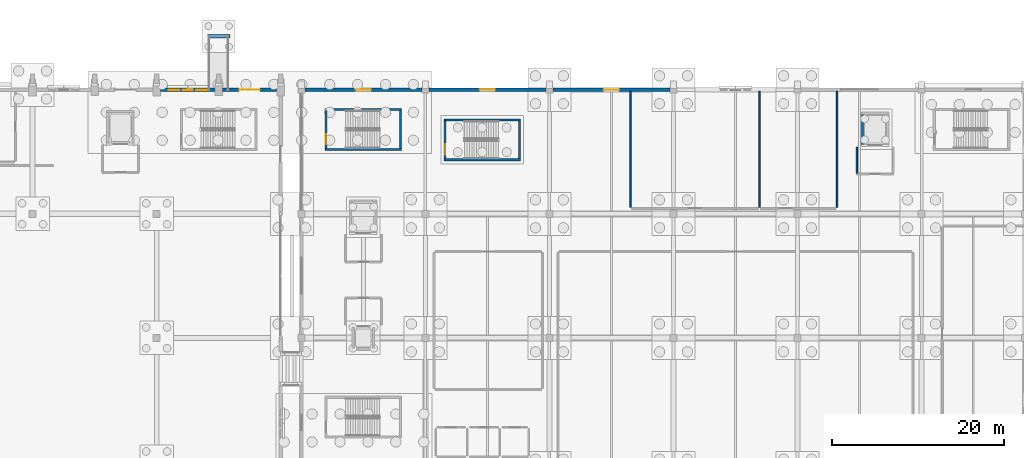
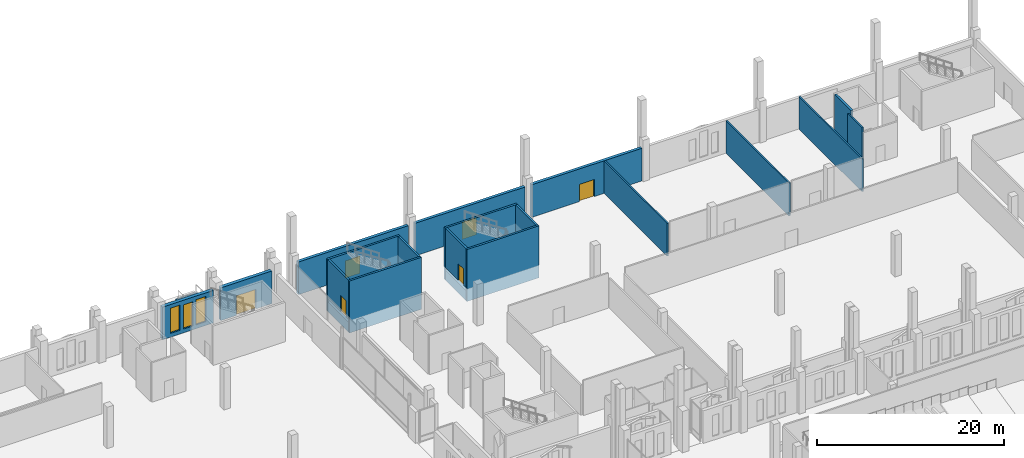
# One storey, part 152 of 192: 21 walls, 6 doors, 3 windows, 9 openings.
"""IFC4 building model written with IfcOpenShell, lengths in metres."""

from ifc_helpers import new_model, si_unit, direction, frame, frame_2d, origin, place, context, subcontext, project, spatial, rectangle, extrude, material, layer, layer_set, type_object, element, fill, save


model = new_model("IFC4")

# Units and contexts
model_context = context("Model", 3, precision=1e-05, world=origin(), true_north=direction((0.0, 1.0)))
body_context = subcontext(model_context, "Body", "Model", "MODEL_VIEW")
ifc_project = project(units=[si_unit("LENGTHUNIT", "METRE"), si_unit("AREAUNIT", "SQUARE_METRE"), si_unit("VOLUMEUNIT", "CUBIC_METRE"), si_unit("PLANEANGLEUNIT", "RADIAN"), si_unit("MASSUNIT", "GRAM", prefix="KILO")], contexts=[model_context])

# Site, building, storey
site_placement = place(None, origin())
site = spatial("IfcSite", under=ifc_project, at=site_placement, CompositionType="ELEMENT")
building_placement = place(site_placement, origin())
building = spatial("IfcBuilding", under=site, at=building_placement, Name="Cendralis Lancet Convention Centre", CompositionType="ELEMENT")
storey_placement = place(building_placement, origin())
storey = spatial("IfcBuildingStorey", under=building, at=storey_placement, Name="L00", CompositionType="ELEMENT", Elevation=0.0)

# Wall, opening, door
ifc_material_1 = material(Name="Buff sandstone ashlar and Concrete G40 (C40/50)", Category="masonry")
ifc_layer_1 = layer(ifc_material_1, 0.360107421875, Name="Buff sandstone ashlar and Concrete G40 (C40/50)")
ifc_layer_set_1 = layer_set([ifc_layer_1], Name="Buff sandstone ashlar and Concrete G40 (C40/50)")
wall_type_1 = type_object("IfcWallType", Name="ARC-EW-W360", PredefinedType="STANDARD", material=ifc_layer_set_1)
wall_1_placement = place(storey_placement, frame((125.2080078125, 136.800048828125, 0.0), z_axis=(0.0, 0.0, 1.0), x_axis=(1.0, 0.0, 0.0)))
wall_1 = element("IfcWall", 1, at=wall_1_placement, inside=storey, type_object=wall_type_1, Name="L00 V3 Exterior Wall EW-04 #0127", PredefinedType="STANDARD", context=body_context, shape_type="SweptSolid", body=[
    extrude(rectangle(XDim=13.583984375, YDim=0.360107421875, at=frame_2d((6.7919921875, 0.0))), origin(), (0.0, 0.0, 1.0), 4.2548828125),
])
opening_1_placement = place(wall_1_placement, frame((5.89208984375, 0.0, 0.0)))
opening_1 = element("IfcOpeningElement", 2, at=opening_1_placement, cuts=wall_1, Name="Opening EX-D1", PredefinedType="OPENING", context=body_context, shape_type="SweptSolid", body=[
    extrude(rectangle(XDim=1.800048828125, YDim=2.25, at=frame_2d((0.89990234375, 1.125))), frame((0.0, 0.18994140625, 0.0), z_axis=(0.0, -1.0, 0.0), x_axis=(1.0, 0.0, 0.0)), (0.0, 0.0, 1.0), 0.380126953125),
])
ifc_material_2 = material(Name="Anodised bronze architectural aluminium", Category="aluminium")
door_type_1 = type_object("IfcDoorType", Name="ARC-DR-EX18", OperationType="NOTDEFINED", PredefinedType="DOOR", material=ifc_material_2)
door_1_placement = place(opening_1_placement, origin())
door_1 = element("IfcDoor", 3, at=door_1_placement, inside=storey, type_object=door_type_1, Name="L00-D034 Pedestrian Final Exit Door EX-34 #034", OperationType="DOUBLE_DOOR_SINGLE_SWING", OverallHeight=2.25, OverallWidth=1.800048828125, PredefinedType="DOOR", context=body_context, shape_type="SweptSolid", body=[
    extrude(rectangle(XDim=1.800048828125, YDim=2.25, at=frame_2d((0.89990234375, 1.125))), frame((0.0, 0.02490234375, 0.0), z_axis=(0.0, -1.0, 0.0), x_axis=(1.0, 0.0, 0.0)), (0.0, 0.0, 1.0), 0.050048828125),
])
fill(opening_1, door_1)

wall_2_placement = place(storey_placement, frame((139.60791015625, 136.800048828125, 0.0), z_axis=(0.0, 0.0, 1.0), x_axis=(1.0, 0.0, 0.0)))
wall_2 = element("IfcWall", 4, at=wall_2_placement, inside=storey, type_object=wall_type_1, Name="L00 V3 Exterior Wall EW-04 #0128", PredefinedType="STANDARD", context=body_context, shape_type="SweptSolid", body=[
    extrude(rectangle(XDim=13.583984375, YDim=0.360107421875, at=frame_2d((6.7919921875, 0.0))), origin(), (0.0, 0.0, 1.0), 4.2548828125),
])
opening_2_placement = place(wall_2_placement, frame((5.89208984375, 0.0, 0.0)))
opening_2 = element("IfcOpeningElement", 5, at=opening_2_placement, cuts=wall_2, Name="Opening EX-D1", PredefinedType="OPENING", context=body_context, shape_type="SweptSolid", body=[
    extrude(rectangle(XDim=1.800048828125, YDim=2.25, at=frame_2d((0.89990234375, 1.125))), frame((0.0, 0.18994140625, 0.0), z_axis=(0.0, -1.0, 0.0), x_axis=(1.0, 0.0, 0.0)), (0.0, 0.0, 1.0), 0.380126953125),
])
door_2_placement = place(opening_2_placement, origin())
door_2 = element("IfcDoor", 6, at=door_2_placement, inside=storey, type_object=door_type_1, Name="L00-D035 Pedestrian Final Exit Door EX-35 #035", OperationType="DOUBLE_DOOR_SINGLE_SWING", OverallHeight=2.25, OverallWidth=1.800048828125, PredefinedType="DOOR", context=body_context, shape_type="SweptSolid", body=[
    extrude(rectangle(XDim=1.800048828125, YDim=2.25, at=frame_2d((0.89990234375, 1.125))), frame((0.0, 0.02490234375, 0.0), z_axis=(0.0, -1.0, 0.0), x_axis=(1.0, 0.0, 0.0)), (0.0, 0.0, 1.0), 0.050048828125),
])
fill(opening_2, door_2)

wall_3_placement = place(storey_placement, frame((154.008056640625, 136.800048828125, 0.0), z_axis=(0.0, 0.0, 1.0), x_axis=(1.0, 0.0, 0.0)))
wall_3 = element("IfcWall", 7, at=wall_3_placement, inside=storey, type_object=wall_type_1, Name="L00 V3 Exterior Wall EW-04 #0129", PredefinedType="STANDARD", context=body_context, shape_type="SweptSolid", body=[
    extrude(rectangle(XDim=13.583984375, YDim=0.360107421875, at=frame_2d((6.7919921875, 0.0))), origin(), (0.0, 0.0, 1.0), 4.2548828125),
])
opening_3_placement = place(wall_3_placement, frame((5.89208984375, 0.0, 0.0)))
opening_3 = element("IfcOpeningElement", 8, at=opening_3_placement, cuts=wall_3, Name="Opening EX-D1", PredefinedType="OPENING", context=body_context, shape_type="SweptSolid", body=[
    extrude(rectangle(XDim=1.800048828125, YDim=2.25, at=frame_2d((0.89990234375, 1.125))), frame((0.0, 0.18994140625, 0.0), z_axis=(0.0, -1.0, 0.0), x_axis=(1.0, 0.0, 0.0)), (0.0, 0.0, 1.0), 0.380126953125),
])
door_3_placement = place(opening_3_placement, origin())
door_3 = element("IfcDoor", 9, at=door_3_placement, inside=storey, type_object=door_type_1, Name="L00-D036 Pedestrian Final Exit Door EX-36 #036", OperationType="DOUBLE_DOOR_SINGLE_SWING", OverallHeight=2.25, OverallWidth=1.800048828125, PredefinedType="DOOR", context=body_context, shape_type="SweptSolid", body=[
    extrude(rectangle(XDim=1.800048828125, YDim=2.25, at=frame_2d((0.89990234375, 1.125))), frame((0.0, 0.02490234375, 0.0), z_axis=(0.0, -1.0, 0.0), x_axis=(1.0, 0.0, 0.0)), (0.0, 0.0, 1.0), 0.050048828125),
])
fill(opening_3, door_3)

# Wall, openings, windows
ifc_layer_2 = layer(ifc_material_1, 0.419921875, Name="Buff sandstone ashlar and Concrete G40 (C40/50)")
ifc_layer_set_2 = layer_set([ifc_layer_2], Name="Buff sandstone ashlar and Concrete G40 (C40/50)")
wall_type_2 = type_object("IfcWallType", Name="ARC-EW-W420", PredefinedType="STANDARD", material=ifc_layer_set_2)
wall_4_placement = place(storey_placement, frame((108.4580078125, 136.800048828125, 0.0), z_axis=(0.0, 0.0, 1.0), x_axis=(1.0, 0.0, 0.0)))
wall_4 = element("IfcWall", 10, at=wall_4_placement, inside=storey, type_object=wall_type_2, Name="L00 V1 Exterior Wall EW-01 #0013", PredefinedType="STANDARD", context=body_context, shape_type="SweptSolid", body=[
    extrude(rectangle(XDim=6.30908203125, YDim=0.419921875, at=frame_2d((3.154541015625, 0.0))), origin(), (0.0, 0.0, 1.0), 4.2548828125),
])
opening_4_placement = place(wall_4_placement, frame((0.95458984375, 0.0, 0.5)))
opening_4 = element("IfcOpeningElement", 11, at=opening_4_placement, cuts=wall_4, Name="Opening WN-14", PredefinedType="OPENING", context=body_context, shape_type="SweptSolid", body=[
    extrude(rectangle(XDim=1.199951171875, YDim=3.280029296875, at=frame_2d((0.60009765625, 1.64013671875))), frame((0.0, 0.219970703125, 0.0), z_axis=(0.0, -1.0, 0.0), x_axis=(1.0, 0.0, 0.0)), (0.0, 0.0, 1.0), 0.43994140625),
])
opening_5_placement = place(wall_4_placement, frame((2.574462890625, 0.0, 0.5)))
opening_5 = element("IfcOpeningElement", 12, at=opening_5_placement, cuts=wall_4, Name="Opening WN-13", PredefinedType="OPENING", context=body_context, shape_type="SweptSolid", body=[
    extrude(rectangle(XDim=1.159912109375, YDim=3.14990234375, at=frame_2d((0.580078125, 1.574951171875))), frame((0.0, 0.219970703125, 0.0), z_axis=(0.0, -1.0, 0.0), x_axis=(1.0, 0.0, 0.0)), (0.0, 0.0, 1.0), 0.43994140625),
])
opening_6_placement = place(wall_4_placement, frame((4.154541015625, 0.0, 0.5)))
opening_6 = element("IfcOpeningElement", 13, at=opening_6_placement, cuts=wall_4, Name="Opening WN-14", PredefinedType="OPENING", context=body_context, shape_type="SweptSolid", body=[
    extrude(rectangle(XDim=1.199951171875, YDim=3.280029296875, at=frame_2d((0.60009765625, 1.64013671875))), frame((0.0, 0.219970703125, 0.0), z_axis=(0.0, -1.0, 0.0), x_axis=(1.0, 0.0, 0.0)), (0.0, 0.0, 1.0), 0.43994140625),
])
ifc_material_3 = material(Name="Double-glazed low-E solar-control glass", Category="glass")
window_type_1 = type_object("IfcWindowType", Name="ARC-WN-LW13", PartitioningType="SINGLE_PANEL", PredefinedType="WINDOW", material=ifc_material_3)
window_1_placement = place(opening_5_placement, origin())
window_1 = element("IfcWindow", 14, at=window_1_placement, inside=storey, type_object=window_type_1, Name="Gothic Lancet Window WN-13 #0017", OverallHeight=3.14990234375, OverallWidth=1.159912109375, PartitioningType="SINGLE_PANEL", PredefinedType="WINDOW", context=body_context, shape_type="SweptSolid", body=[
    extrude(rectangle(XDim=1.159912109375, YDim=3.14990234375, at=frame_2d((0.580078125, 1.574951171875))), frame((0.0, 0.030029296875, 0.0), z_axis=(0.0, -1.0, 0.0), x_axis=(1.0, 0.0, 0.0)), (0.0, 0.0, 1.0), 0.06005859375),
])
fill(opening_5, window_1)
window_type_2 = type_object("IfcWindowType", Name="ARC-WN-LW14", PartitioningType="SINGLE_PANEL", PredefinedType="WINDOW", material=ifc_material_3)
window_2_placement = place(opening_4_placement, origin())
window_2 = element("IfcWindow", 15, at=window_2_placement, inside=storey, type_object=window_type_2, Name="Gothic Lancet Window WN-14 #0016", OverallHeight=3.280029296875, OverallWidth=1.199951171875, PartitioningType="SINGLE_PANEL", PredefinedType="WINDOW", context=body_context, shape_type="SweptSolid", body=[
    extrude(rectangle(XDim=1.199951171875, YDim=3.280029296875, at=frame_2d((0.60009765625, 1.64013671875))), frame((0.0, 0.030029296875, 0.0), z_axis=(0.0, -1.0, 0.0), x_axis=(1.0, 0.0, 0.0)), (0.0, 0.0, 1.0), 0.06005859375),
])
fill(opening_4, window_2)
window_3_placement = place(opening_6_placement, origin())
window_3 = element("IfcWindow", 16, at=window_3_placement, inside=storey, type_object=window_type_2, Name="Gothic Lancet Window WN-14 #0018", OverallHeight=3.280029296875, OverallWidth=1.199951171875, PartitioningType="SINGLE_PANEL", PredefinedType="WINDOW", context=body_context, shape_type="SweptSolid", body=[
    extrude(rectangle(XDim=1.199951171875, YDim=3.280029296875, at=frame_2d((0.60009765625, 1.64013671875))), frame((0.0, 0.030029296875, 0.0), z_axis=(0.0, -1.0, 0.0), x_axis=(1.0, 0.0, 0.0)), (0.0, 0.0, 1.0), 0.06005859375),
])
fill(opening_6, window_3)

# Wall, opening, door
wall_5_placement = place(storey_placement, frame((115.633056640625, 136.800048828125, 0.0), z_axis=(0.0, 0.0, 1.0), x_axis=(1.0, 0.0, 0.0)))
wall_5 = element("IfcWall", 17, at=wall_5_placement, inside=storey, type_object=wall_type_2, Name="L00 V1 Exterior Wall EW-01 #0014", PredefinedType="STANDARD", context=body_context, shape_type="SweptSolid", body=[
    extrude(rectangle(XDim=6.308837890625, YDim=0.419921875, at=frame_2d((3.154296875, 0.0))), origin(), (0.0, 0.0, 1.0), 4.2548828125),
])
opening_7_placement = place(wall_5_placement, frame((1.95458984375, 0.0, 0.0)))
opening_7 = element("IfcOpeningElement", 18, at=opening_7_placement, cuts=wall_5, Name="Opening EX-D3", PredefinedType="OPENING", context=body_context, shape_type="SweptSolid", body=[
    extrude(rectangle(XDim=2.39990234375, YDim=2.550048828125, at=frame_2d((1.199951171875, 1.27490234375))), frame((0.0, 0.219970703125, 0.0), z_axis=(0.0, -1.0, 0.0), x_axis=(1.0, 0.0, 0.0)), (0.0, 0.0, 1.0), 0.43994140625),
])
door_type_2 = type_object("IfcDoorType", Name="ARC-DR-EX24", OperationType="NOTDEFINED", PredefinedType="DOOR", material=ifc_material_2)
door_4_placement = place(opening_7_placement, origin())
door_4 = element("IfcDoor", 19, at=door_4_placement, inside=storey, type_object=door_type_2, Name="L00-D013 Pedestrian Final Exit Door EX-13 #013", OperationType="DOUBLE_DOOR_SINGLE_SWING", OverallHeight=2.550048828125, OverallWidth=2.39990234375, PredefinedType="DOOR", context=body_context, shape_type="SweptSolid", body=[
    extrude(rectangle(XDim=2.39990234375, YDim=2.550048828125, at=frame_2d((1.199951171875, 1.27490234375))), frame((0.0, 0.02490234375, 0.0), z_axis=(0.0, -1.0, 0.0), x_axis=(1.0, 0.0, 0.0)), (0.0, 0.0, 1.0), 0.050048828125),
])
fill(opening_7, door_4)

# Walls
ifc_material_4 = material(Name="Acoustic fire-rated gypsum board on steel studs", Category="steel")
ifc_layer_3 = layer(ifc_material_4, 0.179931640625, Name="Acoustic fire-rated gypsum board on steel studs")
ifc_layer_set_3 = layer_set([ifc_layer_3], Name="Acoustic fire-rated gypsum board on steel studs")
wall_type_3 = type_object("IfcWallType", Name="ARC-IW-P180", PredefinedType="PARTITIONING", material=ifc_layer_set_3)
wall_6_placement = place(storey_placement, frame((189.300048828125, 127.10009765625, 0.0), z_axis=(0.0, 0.0, 1.0), x_axis=(0.0, 1.0, 0.0)))
element("IfcWall", 20, at=wall_6_placement, inside=storey, type_object=wall_type_3, Name="L00 Lift Lobby LG-03 West Wall", PredefinedType="PARTITIONING", context=body_context, shape_type="SweptSolid", body=[
    extrude(rectangle(XDim=3.0498046875, YDim=0.179931640625, at=frame_2d((1.52490234375, 0.0))), origin(), (0.0, 0.0, 1.0), 5.1201171875),
])
for number, where, z_axis, x_axis, name in (
    (21, (163.0, 123.139892578125, 0.0), (0.0, 0.0, 1.0), (0.0, 1.0, 0.0), "L00 Interior Partition IW-02 #0143"),
    (22, (178.0, 123.139892578125, 0.0), (0.0, 0.0, 1.0), (0.0, 1.0, 0.0), "L00 Interior Partition IW-02 #0144"),
    (23, (187.0, 123.139892578125, 0.0), (0.0, 0.0, 1.0), (0.0, 1.0, 0.0), "L00 Interior Partition IW-02 #0146"),
):
    element("IfcWall", number, at=place(storey_placement, frame(where, z_axis=z_axis, x_axis=x_axis)), inside=storey, type_object=wall_type_3, Name=name, PredefinedType="PARTITIONING", context=body_context, shape_type="SweptSolid", body=[
        extrude(rectangle(XDim=13.47021484375, YDim=0.179931640625, at=frame_2d((6.735107421875, 0.0))), origin(), (0.0, 0.0, 1.0), 4.2548828125),
    ])
ifc_material_5 = material(Name="Concrete G40 (C40/50)", Category="concrete")
ifc_layer_4 = layer(ifc_material_5, 0.25, Name="Concrete G40 (C40/50)")
ifc_layer_set_4 = layer_set([ifc_layer_4], Name="Concrete G40 (C40/50)")
wall_type_4 = type_object("IfcWallType", Name="STR-SW-CW250", PredefinedType="SHEAR", material=ifc_layer_set_4)
wall_7_placement = place(storey_placement, frame((127.675048828125, 130.0, -1.64990234375), z_axis=(0.0, 0.0, 1.0), x_axis=(0.0, 1.0, 0.0)))
element("IfcWall", 24, at=wall_7_placement, inside=storey, type_object=wall_type_4, Name="L00 Stair Core ST-05 West Base Stem", PredefinedType="SHEAR", context=body_context, shape_type="SweptSolid", body=[
    extrude(rectangle(XDim=4.3798828125, YDim=0.25, at=frame_2d((2.18994140625, 0.0))), origin(), (0.0, 0.0, 1.0), 1.309814453125),
])

# Wall, opening, door
wall_8_placement = place(storey_placement, frame((127.675048828125, 130.0, 0.0), z_axis=(0.0, 0.0, 1.0), x_axis=(0.0, 1.0, 0.0)))
wall_8 = element("IfcWall", 25, at=wall_8_placement, inside=storey, type_object=wall_type_4, Name="L00 Stair Core ST-05 West Shear Wall", PredefinedType="SHEAR", context=body_context, shape_type="SweptSolid", body=[
    extrude(rectangle(XDim=4.3798828125, YDim=0.25, at=frame_2d((2.18994140625, 0.0))), origin(), (0.0, 0.0, 1.0), 5.1201171875),
])
opening_8_placement = place(wall_8_placement, frame((0.449951171875, 0.0, 0.0)))
opening_8 = element("IfcOpeningElement", 26, at=opening_8_placement, cuts=wall_8, Name="Opening SD-12", PredefinedType="OPENING", context=body_context, shape_type="SweptSolid", body=[
    extrude(rectangle(XDim=1.199951171875, YDim=2.14990234375, at=frame_2d((0.60009765625, 1.074951171875))), frame((0.0, 0.135009765625, 0.0), z_axis=(0.0, -1.0, 0.0), x_axis=(1.0, 0.0, 0.0)), (0.0, 0.0, 1.0), 0.27001953125),
])
ifc_material_6 = material(Name="Steel S355", Category="steel")
door_type_3 = type_object("IfcDoorType", Name="ARC-DR-ST12", OperationType="NOTDEFINED", PredefinedType="DOOR", material=ifc_material_6)
door_5_placement = place(opening_8_placement, origin())
door_5 = element("IfcDoor", 27, at=door_5_placement, inside=storey, type_object=door_type_3, Name="L00-D122 L00 Exit Stair ST-05 Fire Door", OperationType="SINGLE_SWING_RIGHT", OverallHeight=2.14990234375, OverallWidth=1.199951171875, PredefinedType="DOOR", context=body_context, shape_type="SweptSolid", body=[
    extrude(rectangle(XDim=1.199951171875, YDim=2.14990234375, at=frame_2d((0.60009765625, 1.074951171875))), frame((0.0, 0.02490234375, 0.0), z_axis=(0.0, -1.0, 0.0), x_axis=(1.0, 0.0, 0.0)), (0.0, 0.0, 1.0), 0.050048828125),
])
fill(opening_8, door_5)

# Walls
wall_9_placement = place(storey_placement, frame((136.324951171875, 130.0, -1.64990234375), z_axis=(0.0, 0.0, 1.0), x_axis=(0.0, 1.0, 0.0)))
element("IfcWall", 28, at=wall_9_placement, inside=storey, type_object=wall_type_4, Name="L00 Stair Core ST-05 East Shear Wall", PredefinedType="SHEAR", context=body_context, shape_type="SweptSolid", body=[
    extrude(rectangle(XDim=4.3798828125, YDim=0.25, at=frame_2d((2.18994140625, 0.0))), origin(), (0.0, 0.0, 1.0), 6.77001953125),
])
for number, where, z_axis, x_axis, name in (
    (29, (127.550048828125, 129.875, -1.64990234375), (0.0, 0.0, 1.0), (1.0, 0.0, 0.0), "L00 Stair Core ST-05 South Shear Wall"),
    (30, (127.550048828125, 134.5048828125, -1.64990234375), (0.0, 0.0, 1.0), (1.0, 0.0, 0.0), "L00 Stair Core ST-05 North Shear Wall"),
):
    element("IfcWall", number, at=place(storey_placement, frame(where, z_axis=z_axis, x_axis=x_axis)), inside=storey, type_object=wall_type_4, Name=name, PredefinedType="SHEAR", context=body_context, shape_type="SweptSolid", body=[
        extrude(rectangle(XDim=8.89990234375, YDim=0.25, at=frame_2d((4.449951171875, 0.0))), origin(), (0.0, 0.0, 1.0), 6.77001953125),
    ])
wall_10_placement = place(storey_placement, frame((141.47509765625, 128.800048828125, -1.64990234375), z_axis=(0.0, 0.0, 1.0), x_axis=(0.0, 1.0, 0.0)))
element("IfcWall", 31, at=wall_10_placement, inside=storey, type_object=wall_type_4, Name="L00 Stair Core ST-19 West Base Stem", PredefinedType="SHEAR", context=body_context, shape_type="SweptSolid", body=[
    extrude(rectangle(XDim=4.3798828125, YDim=0.25, at=frame_2d((2.18994140625, 0.0))), origin(), (0.0, 0.0, 1.0), 1.309814453125),
])

# Wall, opening, door
wall_11_placement = place(storey_placement, frame((141.47509765625, 128.800048828125, 0.0), z_axis=(0.0, 0.0, 1.0), x_axis=(0.0, 1.0, 0.0)))
wall_11 = element("IfcWall", 32, at=wall_11_placement, inside=storey, type_object=wall_type_4, Name="L00 Stair Core ST-19 West Shear Wall", PredefinedType="SHEAR", context=body_context, shape_type="SweptSolid", body=[
    extrude(rectangle(XDim=4.3798828125, YDim=0.25, at=frame_2d((2.18994140625, 0.0))), origin(), (0.0, 0.0, 1.0), 5.1201171875),
])
opening_9_placement = place(wall_11_placement, frame((0.449951171875, 0.0, 0.0)))
opening_9 = element("IfcOpeningElement", 33, at=opening_9_placement, cuts=wall_11, Name="Opening SD-12", PredefinedType="OPENING", context=body_context, shape_type="SweptSolid", body=[
    extrude(rectangle(XDim=1.199951171875, YDim=2.14990234375, at=frame_2d((0.60009765625, 1.074951171875))), frame((0.0, 0.135009765625, 0.0), z_axis=(0.0, -1.0, 0.0), x_axis=(1.0, 0.0, 0.0)), (0.0, 0.0, 1.0), 0.27001953125),
])
door_6_placement = place(opening_9_placement, origin())
door_6 = element("IfcDoor", 34, at=door_6_placement, inside=storey, type_object=door_type_3, Name="L00-D136 L00 Exit Stair ST-19 Fire Door", OperationType="SINGLE_SWING_LEFT", OverallHeight=2.14990234375, OverallWidth=1.199951171875, PredefinedType="DOOR", context=body_context, shape_type="SweptSolid", body=[
    extrude(rectangle(XDim=1.199951171875, YDim=2.14990234375, at=frame_2d((0.60009765625, 1.074951171875))), frame((0.0, 0.02490234375, 0.0), z_axis=(0.0, -1.0, 0.0), x_axis=(1.0, 0.0, 0.0)), (0.0, 0.0, 1.0), 0.050048828125),
])
fill(opening_9, door_6)

# Walls
wall_12_placement = place(storey_placement, frame((150.125, 128.800048828125, -1.64990234375), z_axis=(0.0, 0.0, 1.0), x_axis=(0.0, 1.0, 0.0)))
element("IfcWall", 35, at=wall_12_placement, inside=storey, type_object=wall_type_4, Name="L00 Stair Core ST-19 East Shear Wall", PredefinedType="SHEAR", context=body_context, shape_type="SweptSolid", body=[
    extrude(rectangle(XDim=4.3798828125, YDim=0.25, at=frame_2d((2.18994140625, 0.0))), origin(), (0.0, 0.0, 1.0), 6.77001953125),
])
for number, where, z_axis, x_axis, name in (
    (36, (141.35009765625, 128.675048828125, -1.64990234375), (0.0, 0.0, 1.0), (1.0, 0.0, 0.0), "L00 Stair Core ST-19 South Shear Wall"),
    (37, (141.35009765625, 133.304931640625, -1.64990234375), (0.0, 0.0, 1.0), (1.0, 0.0, 0.0), "L00 Stair Core ST-19 North Shear Wall"),
):
    element("IfcWall", number, at=place(storey_placement, frame(where, z_axis=z_axis, x_axis=x_axis)), inside=storey, type_object=wall_type_4, Name=name, PredefinedType="SHEAR", context=body_context, shape_type="SweptSolid", body=[
        extrude(rectangle(XDim=8.89990234375, YDim=0.25, at=frame_2d((4.449951171875, 0.0))), origin(), (0.0, 0.0, 1.0), 6.77001953125),
    ])
wall_13_placement = place(storey_placement, frame((189.925048828125, 130.449951171875, -1.64990234375), z_axis=(0.0, 0.0, 1.0), x_axis=(0.0, 1.0, 0.0)))
element("IfcWall", 38, at=wall_13_placement, inside=storey, type_object=wall_type_4, Name="L00 Lift LG-03 West Shaft Wall", PredefinedType="SHEAR", context=body_context, shape_type="SweptSolid", body=[
    extrude(rectangle(XDim=3.5, YDim=0.25, at=frame_2d((1.75, 0.0))), origin(), (0.0, 0.0, 1.0), 6.77001953125),
])
ifc_material_7 = material(Name="Concrete G35 (C35/45)", Category="concrete")
ifc_layer_5 = layer(ifc_material_7, 0.39990234375, Name="Concrete G35 (C35/45)")
ifc_layer_set_5 = layer_set([ifc_layer_5], Name="Concrete G35 (C35/45)")
wall_type_5 = type_object("IfcWallType", Name="STR-WL-RPSTEM", PredefinedType="SHEAR", material=ifc_layer_set_5)
wall_14_placement = place(storey_placement, frame((113.89990234375, 143.0, -1.64990234375), z_axis=(0.0, 0.0, 1.0), x_axis=(1.0, 0.0, 0.0)))
element("IfcWall", 39, at=wall_14_placement, inside=storey, type_object=wall_type_5, Name="Ramp RP-04 Toe Stem Wall", PredefinedType="SHEAR", context=body_context, shape_type="SweptSolid", body=[
    extrude(rectangle(XDim=2.60009765625, YDim=0.39990234375, at=frame_2d((1.300048828125, 0.0))), origin(), (0.0, 0.0, 1.0), 1.06982421875),
])

save(model, "model.ifc")
